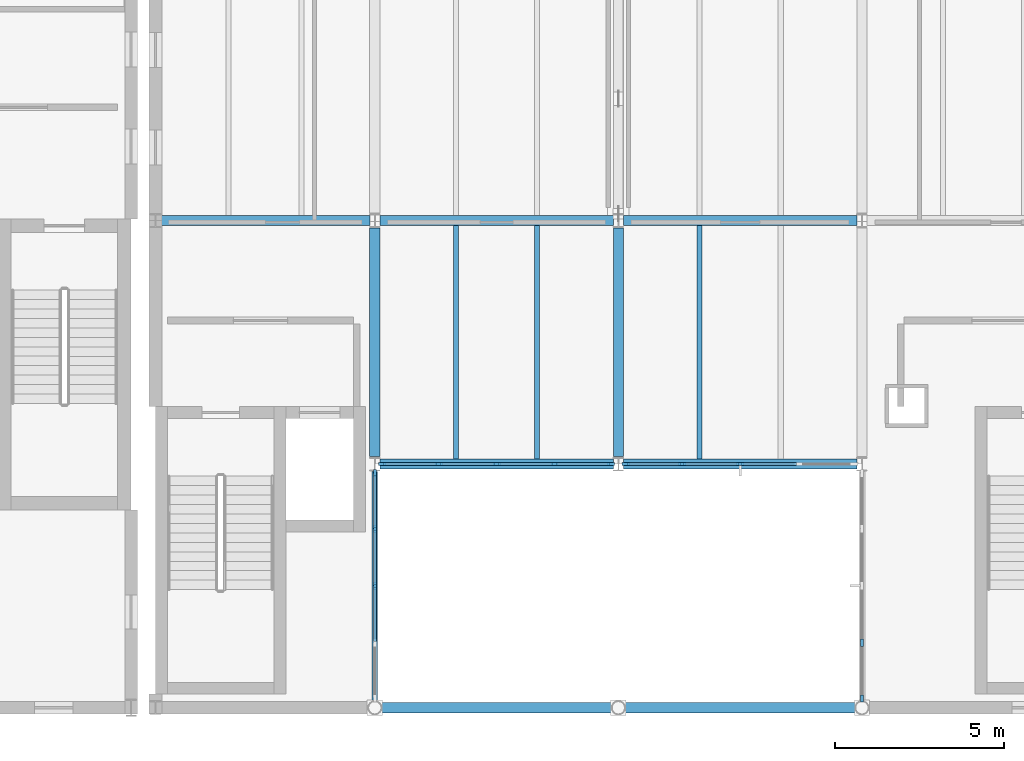
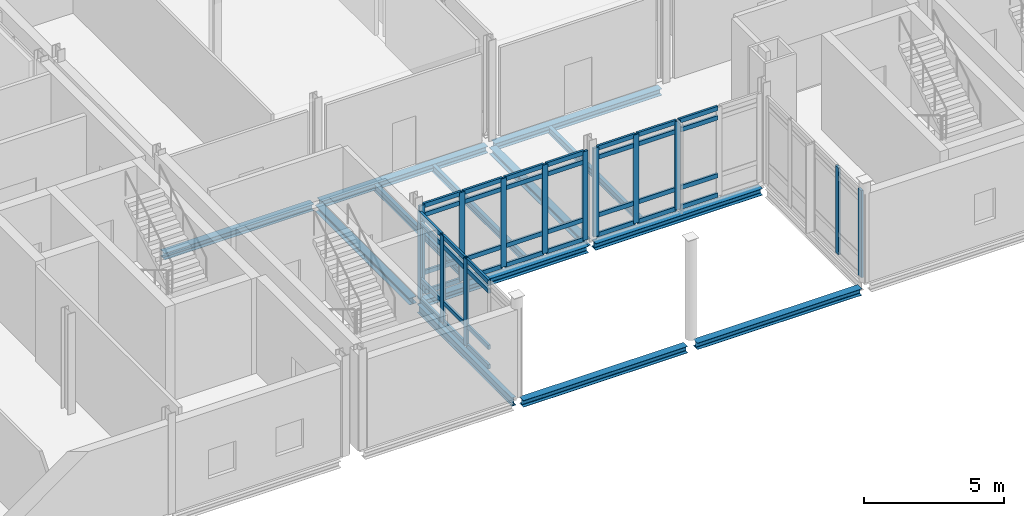
# One storey, part 14 of 76: 53 members, 13 beams, 4 elements without a shape of their own.
"""IFC4 building model written with IfcOpenShell, lengths in metres."""

from ifc_helpers import new_model, si_unit, direction, frame, origin, origin_2d, place, context, subcontext, project, spatial, rectangle, i_section, extrude, material, layer, layer_set, material_profile, profile_set, type_object, element, aggregate, save


model = new_model("IFC4")

# Units and contexts
model_context = context("Model", 3, precision=1e-05, world=origin(), true_north=direction((0.0, 1.0)))
body_context = subcontext(model_context, "Body", "Model", "MODEL_VIEW")
ifc_project = project(units=[si_unit("LENGTHUNIT", "METRE"), si_unit("AREAUNIT", "SQUARE_METRE"), si_unit("VOLUMEUNIT", "CUBIC_METRE"), si_unit("PLANEANGLEUNIT", "RADIAN"), si_unit("MASSUNIT", "GRAM", prefix="KILO")], contexts=[model_context])

# Site, building, storey
site_placement = place(None, origin())
site = spatial("IfcSite", under=ifc_project, at=site_placement, CompositionType="ELEMENT")
building_placement = place(site_placement, origin())
building = spatial("IfcBuilding", under=site, at=building_placement, Name="Zarrinpeak Specialist Clinic", CompositionType="ELEMENT")
storey_placement = place(building_placement, frame((0.0, 0.0, 5.199951171875)))
storey = spatial("IfcBuildingStorey", under=building, at=storey_placement, Name="L01", CompositionType="ELEMENT", Elevation=5.199951171875)

# Beams
ifc_material_1 = material(Name="Steel S355", Category="steel")
ifc_material_profile_1 = material_profile(ifc_material_1, i_section(OverallWidth=0.300048828125, OverallDepth=0.2900390625, WebThickness=0.008544921875, FlangeThickness=0.013916015625, FilletRadius=0.027099609375, at=origin_2d()), Name="HEA 300")
ifc_profile_set_1 = profile_set([ifc_material_profile_1], Name="Steel S355")
beam_type_1 = type_object("IfcBeamType", Name="BM-HEA300", PredefinedType="BEAM", material=ifc_profile_set_1)
for number, where, z_axis, x_axis, name in (
    (1, (36.201171875, 0.0, -0.375), (1.0, 0.0, 0.0), (0.0, 1.0, 0.0), "L01 Primary Floor Girder BM-L01-X0717"),
    (2, (43.401123046875, 0.0, -0.375), (1.0, 0.0, 0.0), (0.0, 1.0, 0.0), "L01 Primary Floor Girder BM-L01-X0718"),
):
    element("IfcBeam", number, at=place(storey_placement, frame(where, z_axis=z_axis, x_axis=x_axis)), inside=storey, type_object=beam_type_1, Name=name, PredefinedType="BEAM", context=body_context, shape_type="SweptSolid", body=[
        extrude(i_section(OverallWidth=0.300048828125, OverallDepth=0.2900390625, WebThickness=0.008544921875, FlangeThickness=0.013916015625, FilletRadius=0.027099609375, at=origin_2d()), origin(), (0.0, 0.0, 1.0), 6.797607421875),
    ])
for number, where, z_axis, x_axis, name in (
    (3, (36.14794921875, 7.199951171875, -0.375), (1.0, 0.0, 0.0), (0.0, 1.0, 0.0), "L01 Primary Floor Girder BM-L01-X0726"),
    (4, (43.347900390625, 7.199951171875, -0.375), (1.0, 0.0, 0.0), (0.0, 1.0, 0.0), "L01 Primary Floor Girder BM-L01-X0727"),
):
    element("IfcBeam", number, at=place(storey_placement, frame(where, z_axis=z_axis, x_axis=x_axis)), inside=storey, type_object=beam_type_1, Name=name, PredefinedType="BEAM", context=body_context, shape_type="SweptSolid", body=[
        extrude(i_section(OverallWidth=0.300048828125, OverallDepth=0.2900390625, WebThickness=0.008544921875, FlangeThickness=0.013916015625, FilletRadius=0.027099609375, at=origin_2d()), origin(), (0.0, 0.0, 1.0), 6.904052734375),
    ])
beam_1_placement = place(storey_placement, frame((29.66796875, 14.39990234375, -0.375), z_axis=(1.0, 0.0, 0.0), x_axis=(0.0, 1.0, 0.0)))
element("IfcBeam", 5, at=beam_1_placement, inside=storey, type_object=beam_type_1, Name="L01 Primary Floor Girder BM-L01-X0731", PredefinedType="BEAM", context=body_context, shape_type="SweptSolid", body=[
    extrude(i_section(OverallWidth=0.300048828125, OverallDepth=0.2900390625, WebThickness=0.008544921875, FlangeThickness=0.013916015625, FilletRadius=0.027099609375, at=origin_2d()), origin(), (0.0, 0.0, 1.0), 6.18408203125),
])
for number, where, z_axis, x_axis, name in (
    (6, (36.14794921875, 14.39990234375, -0.375), (1.0, 0.0, 0.0), (0.0, 1.0, 0.0), "L01 Primary Floor Girder BM-L01-X0732"),
    (7, (43.347900390625, 14.39990234375, -0.375), (1.0, 0.0, 0.0), (0.0, 1.0, 0.0), "L01 Primary Floor Girder BM-L01-X0733"),
):
    element("IfcBeam", number, at=place(storey_placement, frame(where, z_axis=z_axis, x_axis=x_axis)), inside=storey, type_object=beam_type_1, Name=name, PredefinedType="BEAM", context=body_context, shape_type="SweptSolid", body=[
        extrude(i_section(OverallWidth=0.300048828125, OverallDepth=0.2900390625, WebThickness=0.008544921875, FlangeThickness=0.013916015625, FilletRadius=0.027099609375, at=origin_2d()), origin(), (0.0, 0.0, 1.0), 6.904052734375),
    ])
for number, where, z_axis, x_axis, name in (
    (8, (36.0, 7.423095703125, -0.375), (0.0, 1.0, 0.0), (-1.0, 0.0, 0.0), "L01 Primary Beam BM-L01-Y0884"),
    (9, (43.199951171875, 7.423095703125, -0.375), (0.0, 1.0, 0.0), (-1.0, 0.0, 0.0), "L01 Primary Beam BM-L01-Y0890"),
):
    element("IfcBeam", number, at=place(storey_placement, frame(where, z_axis=z_axis, x_axis=x_axis)), inside=storey, type_object=beam_type_1, Name=name, PredefinedType="BEAM", context=body_context, shape_type="SweptSolid", body=[
        extrude(i_section(OverallWidth=0.300048828125, OverallDepth=0.2900390625, WebThickness=0.008544921875, FlangeThickness=0.013916015625, FilletRadius=0.027099609375, at=origin_2d()), origin(), (0.0, 0.0, 1.0), 6.75390625),
    ])
ifc_material_profile_2 = material_profile(ifc_material_1, i_section(OverallWidth=0.14990234375, OverallDepth=0.300048828125, WebThickness=0.007080078125, FlangeThickness=0.0107421875, FilletRadius=0.014892578125, at=origin_2d()), Name="IPE 300")
ifc_profile_set_2 = profile_set([ifc_material_profile_2], Name="Steel S355")
beam_type_2 = type_object("IfcBeamType", Name="BM-JST300", PredefinedType="JOIST", material=ifc_profile_set_2)
for number, where, z_axis, x_axis, name in (
    (10, (38.39990234375, 7.347900390625, -0.3798828125), (0.0, 1.0, 0.0), (-1.0, 0.0, 0.0), "L01 Composite Floor Joist JST-L01-0993"),
    (11, (40.800048828125, 7.347900390625, -0.3798828125), (0.0, 1.0, 0.0), (-1.0, 0.0, 0.0), "L01 Composite Floor Joist JST-L01-0994"),
    (12, (45.60009765625, 7.347900390625, -0.3798828125), (0.0, 1.0, 0.0), (-1.0, 0.0, 0.0), "L01 Composite Floor Joist JST-L01-0999"),
):
    element("IfcBeam", number, at=place(storey_placement, frame(where, z_axis=z_axis, x_axis=x_axis)), inside=storey, type_object=beam_type_2, Name=name, PredefinedType="JOIST", context=body_context, shape_type="SweptSolid", body=[
        extrude(i_section(OverallWidth=0.14990234375, OverallDepth=0.300048828125, WebThickness=0.007080078125, FlangeThickness=0.0107421875, FilletRadius=0.014892578125, at=origin_2d()), origin(), (0.0, 0.0, 1.0), 6.904052734375),
    ])
ifc_material_profile_3 = material_profile(ifc_material_1, i_section(OverallWidth=0.169921875, OverallDepth=0.360107421875, WebThickness=0.008056640625, FlangeThickness=0.0126953125, FilletRadius=0.01806640625, at=origin_2d()), Name="IPE 360")
ifc_profile_set_3 = profile_set([ifc_material_profile_3], Name="Steel S355")
beam_type_3 = type_object("IfcBeamType", Name="BM-SP360", PredefinedType="SPANDREL", material=ifc_profile_set_3)
beam_2_placement = place(storey_placement, frame((36.0, 0.201171875, -0.409912109375), z_axis=(0.0, 1.0, 0.0), x_axis=(-1.0, 0.0, 0.0)))
element("IfcBeam", 13, at=beam_2_placement, inside=storey, type_object=beam_type_3, Name="L01 Perimeter Spandrel Beam BM-L01-Y0883", PredefinedType="SPANDREL", context=body_context, shape_type="SweptSolid", body=[
    extrude(i_section(OverallWidth=0.169921875, OverallDepth=0.360107421875, WebThickness=0.008056640625, FlangeThickness=0.0126953125, FilletRadius=0.01806640625, at=origin_2d()), origin(), (0.0, 0.0, 1.0), 6.77587890625),
])

# Curtain wall, members
ifc_material_2 = material(Name="Anodised Aluminium Alloy 6063-T6", Category="aluminium")
ifc_layer = layer(ifc_material_2, 0.18994140625)
ifc_layer_set = layer_set([ifc_layer], Name="Anodised Aluminium Alloy 6063-T6")
curtain_wall_type = type_object("IfcCurtainWallType", Name="CW-LOGGIA", PredefinedType="NOTDEFINED", material=ifc_layer_set)
curtain_wall_1_placement = place(storey_placement, origin())
curtain_wall_1 = element("IfcCurtainWall", 14, at=curtain_wall_1_placement, inside=storey, type_object=curtain_wall_type, Name="L01 V2 Unitised Curtain Wall CW-L01-V2-045", PredefinedType="NOTDEFINED")
ifc_material_profile_4 = material_profile(ifc_material_2, rectangle(XDim=0.090087890625, YDim=0.219970703125, at=origin_2d()), Name="ALU 90x220")
ifc_profile_set_4 = profile_set([ifc_material_profile_4], Name="Anodised Aluminium Alloy 6063-T6")
member_type_1 = type_object("IfcMemberType", Name="CWM-90", PredefinedType="MULLION", material=ifc_profile_set_4)
member_1_placement = place(storey_placement, frame((36.219970703125, 7.199951171875, 0.0), z_axis=(0.0, 0.0, 1.0), x_axis=(0.0, 1.0, 0.0)))
member_1 = element("IfcMember", 15, at=member_1_placement, type_object=member_type_1, Name="CW-04 mullion 1", PredefinedType="MULLION", context=body_context, shape_type="SweptSolid", body=[
    extrude(rectangle(XDim=0.090087890625, YDim=0.219970703125, at=origin_2d()), origin(), (0.0, 0.0, 1.0), 3.880126953125),
])
member_2_placement = place(storey_placement, frame((37.887451171875, 7.199951171875, 0.0), z_axis=(0.0, 0.0, 1.0), x_axis=(0.0, 1.0, 0.0)))
member_2 = element("IfcMember", 16, at=member_2_placement, type_object=member_type_1, Name="CW-04 mullion 2", PredefinedType="MULLION", context=body_context, shape_type="SweptSolid", body=[
    extrude(rectangle(XDim=0.090087890625, YDim=0.219970703125, at=origin_2d()), origin(), (0.0, 0.0, 1.0), 3.880126953125),
])
member_3_placement = place(storey_placement, frame((39.60009765625, 7.199951171875, 0.0), z_axis=(0.0, 0.0, 1.0), x_axis=(0.0, 1.0, 0.0)))
member_3 = element("IfcMember", 17, at=member_3_placement, type_object=member_type_1, Name="CW-04 mullion 3", PredefinedType="MULLION", context=body_context, shape_type="SweptSolid", body=[
    extrude(rectangle(XDim=0.090087890625, YDim=0.219970703125, at=origin_2d()), origin(), (0.0, 0.0, 1.0), 3.880126953125),
])
member_4_placement = place(storey_placement, frame((41.3125, 7.199951171875, 0.0), z_axis=(0.0, 0.0, 1.0), x_axis=(0.0, 1.0, 0.0)))
member_4 = element("IfcMember", 18, at=member_4_placement, type_object=member_type_1, Name="CW-04 mullion 4", PredefinedType="MULLION", context=body_context, shape_type="SweptSolid", body=[
    extrude(rectangle(XDim=0.090087890625, YDim=0.219970703125, at=origin_2d()), origin(), (0.0, 0.0, 1.0), 3.880126953125),
])
member_5_placement = place(storey_placement, frame((42.97998046875, 7.199951171875, 0.0), z_axis=(0.0, 0.0, 1.0), x_axis=(0.0, 1.0, 0.0)))
member_5 = element("IfcMember", 19, at=member_5_placement, type_object=member_type_1, Name="CW-04 mullion 5", PredefinedType="MULLION", context=body_context, shape_type="SweptSolid", body=[
    extrude(rectangle(XDim=0.090087890625, YDim=0.219970703125, at=origin_2d()), origin(), (0.0, 0.0, 1.0), 3.880126953125),
])

curtain_wall_2_placement = place(storey_placement, origin())
curtain_wall_2 = element("IfcCurtainWall", 20, at=curtain_wall_2_placement, inside=storey, type_object=curtain_wall_type, Name="L01 V2 Unitised Curtain Wall CW-L01-V2-046", PredefinedType="NOTDEFINED")
member_6_placement = place(storey_placement, frame((43.419921875, 7.199951171875, 0.0), z_axis=(0.0, 0.0, 1.0), x_axis=(0.0, 1.0, 0.0)))
member_6 = element("IfcMember", 21, at=member_6_placement, type_object=member_type_1, Name="CW-04 mullion 1", PredefinedType="MULLION", context=body_context, shape_type="SweptSolid", body=[
    extrude(rectangle(XDim=0.090087890625, YDim=0.219970703125, at=origin_2d()), origin(), (0.0, 0.0, 1.0), 3.880126953125),
])
member_7_placement = place(storey_placement, frame((45.08740234375, 7.199951171875, 0.0), z_axis=(0.0, 0.0, 1.0), x_axis=(0.0, 1.0, 0.0)))
member_7 = element("IfcMember", 22, at=member_7_placement, type_object=member_type_1, Name="CW-04 mullion 2", PredefinedType="MULLION", context=body_context, shape_type="SweptSolid", body=[
    extrude(rectangle(XDim=0.090087890625, YDim=0.219970703125, at=origin_2d()), origin(), (0.0, 0.0, 1.0), 3.880126953125),
])
member_8_placement = place(storey_placement, frame((46.800048828125, 7.199951171875, 0.0), z_axis=(0.0, 0.0, 1.0), x_axis=(0.0, 1.0, 0.0)))
member_8 = element("IfcMember", 23, at=member_8_placement, type_object=member_type_1, Name="CW-04 mullion 3", PredefinedType="MULLION", context=body_context, shape_type="SweptSolid", body=[
    extrude(rectangle(XDim=0.090087890625, YDim=0.219970703125, at=origin_2d()), origin(), (0.0, 0.0, 1.0), 3.880126953125),
])

curtain_wall_3_placement = place(storey_placement, origin())
curtain_wall_3 = element("IfcCurtainWall", 24, at=curtain_wall_3_placement, inside=storey, type_object=curtain_wall_type, Name="L01 V2 Unitised Curtain Wall CW-L01-V2-047", PredefinedType="NOTDEFINED")
member_9_placement = place(storey_placement, frame((36.0, 3.6015625, 0.0), z_axis=(0.0, 0.0, 1.0), x_axis=(-1.0, 0.0, 0.0)))
member_9 = element("IfcMember", 25, at=member_9_placement, type_object=member_type_1, Name="CW-04 mullion 3", PredefinedType="MULLION", context=body_context, shape_type="SweptSolid", body=[
    extrude(rectangle(XDim=0.090087890625, YDim=0.219970703125, at=origin_2d()), origin(), (0.0, 0.0, 1.0), 3.81005859375),
])
member_10_placement = place(storey_placement, frame((36.0, 5.288330078125, 0.0), z_axis=(0.0, 0.0, 1.0), x_axis=(-1.0, 0.0, 0.0)))
member_10 = element("IfcMember", 26, at=member_10_placement, type_object=member_type_1, Name="CW-04 mullion 4", PredefinedType="MULLION", context=body_context, shape_type="SweptSolid", body=[
    extrude(rectangle(XDim=0.090087890625, YDim=0.219970703125, at=origin_2d()), origin(), (0.0, 0.0, 1.0), 3.81005859375),
])
member_11_placement = place(storey_placement, frame((36.0, 6.929931640625, 0.0), z_axis=(0.0, 0.0, 1.0), x_axis=(-1.0, 0.0, 0.0)))
member_11 = element("IfcMember", 27, at=member_11_placement, type_object=member_type_1, Name="CW-04 mullion 5", PredefinedType="MULLION", context=body_context, shape_type="SweptSolid", body=[
    extrude(rectangle(XDim=0.090087890625, YDim=0.219970703125, at=origin_2d()), origin(), (0.0, 0.0, 1.0), 3.81005859375),
])

curtain_wall_4_placement = place(storey_placement, origin())
curtain_wall_4 = element("IfcCurtainWall", 28, at=curtain_wall_4_placement, inside=storey, type_object=curtain_wall_type, Name="L01 V2 Unitised Curtain Wall CW-L01-V2-048", PredefinedType="NOTDEFINED")
member_12_placement = place(storey_placement, frame((50.39990234375, 1.914794921875, 0.0), z_axis=(0.0, 0.0, 1.0), x_axis=(1.0, 0.0, 0.0)))
member_12 = element("IfcMember", 29, at=member_12_placement, type_object=member_type_1, Name="CW-04 mullion 4", PredefinedType="MULLION", context=body_context, shape_type="SweptSolid", body=[
    extrude(rectangle(XDim=0.090087890625, YDim=0.219970703125, at=origin_2d()), origin(), (0.0, 0.0, 1.0), 3.81005859375),
])
member_13_placement = place(storey_placement, frame((50.39990234375, 0.273193359375, 0.0), z_axis=(0.0, 0.0, 1.0), x_axis=(1.0, 0.0, 0.0)))
member_13 = element("IfcMember", 30, at=member_13_placement, type_object=member_type_1, Name="CW-04 mullion 5", PredefinedType="MULLION", context=body_context, shape_type="SweptSolid", body=[
    extrude(rectangle(XDim=0.090087890625, YDim=0.219970703125, at=origin_2d()), origin(), (0.0, 0.0, 1.0), 3.81005859375),
])
aggregate(curtain_wall_4, [member_12, member_13])

# Member
ifc_material_profile_5 = material_profile(ifc_material_2, rectangle(XDim=0.090087890625, YDim=0.18994140625, at=origin_2d()), Name="ALU 90x190")
ifc_profile_set_5 = profile_set([ifc_material_profile_5], Name="Anodised Aluminium Alloy 6063-T6")
member_type_2 = type_object("IfcMemberType", Name="CWT-90", PredefinedType="USERDEFINED", material=ifc_profile_set_5)
member_14_placement = place(storey_placement, frame((36.264892578125, 7.199951171875, 0.045166015625), z_axis=(1.0, 0.0, 0.0), x_axis=(0.0, 1.0, 0.0)))
member_14 = element("IfcMember", 31, at=member_14_placement, type_object=member_type_2, Name="CW-04 transom 1.1", ObjectType="TRANSOM", PredefinedType="USERDEFINED", context=body_context, shape_type="SweptSolid", body=[
    extrude(rectangle(XDim=0.090087890625, YDim=0.18994140625, at=origin_2d()), origin(), (0.0, 0.0, 1.0), 1.57763671875),
])

member_15_placement = place(storey_placement, frame((36.264892578125, 7.199951171875, 0.900146484375), z_axis=(1.0, 0.0, 0.0), x_axis=(0.0, 1.0, 0.0)))
member_15 = element("IfcMember", 32, at=member_15_placement, type_object=member_type_2, Name="CW-04 transom 1.2", ObjectType="TRANSOM", PredefinedType="USERDEFINED", context=body_context, shape_type="SweptSolid", body=[
    extrude(rectangle(XDim=0.090087890625, YDim=0.18994140625, at=origin_2d()), origin(), (0.0, 0.0, 1.0), 1.57763671875),
])

member_16_placement = place(storey_placement, frame((36.264892578125, 7.199951171875, 3.429931640625), z_axis=(1.0, 0.0, 0.0), x_axis=(0.0, 1.0, 0.0)))
member_16 = element("IfcMember", 33, at=member_16_placement, type_object=member_type_2, Name="CW-04 transom 1.3", ObjectType="TRANSOM", PredefinedType="USERDEFINED", context=body_context, shape_type="SweptSolid", body=[
    extrude(rectangle(XDim=0.090087890625, YDim=0.18994140625, at=origin_2d()), origin(), (0.0, 0.0, 1.0), 1.57763671875),
])

member_17_placement = place(storey_placement, frame((36.264892578125, 7.199951171875, 3.8349609375), z_axis=(1.0, 0.0, 0.0), x_axis=(0.0, 1.0, 0.0)))
member_17 = element("IfcMember", 34, at=member_17_placement, type_object=member_type_2, Name="CW-04 transom 1.4", ObjectType="TRANSOM", PredefinedType="USERDEFINED", context=body_context, shape_type="SweptSolid", body=[
    extrude(rectangle(XDim=0.090087890625, YDim=0.18994140625, at=origin_2d()), origin(), (0.0, 0.0, 1.0), 1.57763671875),
])

member_18_placement = place(storey_placement, frame((37.9326171875, 7.199951171875, 0.045166015625), z_axis=(1.0, 0.0, 0.0), x_axis=(0.0, 1.0, 0.0)))
member_18 = element("IfcMember", 35, at=member_18_placement, type_object=member_type_2, Name="CW-04 transom 2.1", ObjectType="TRANSOM", PredefinedType="USERDEFINED", context=body_context, shape_type="SweptSolid", body=[
    extrude(rectangle(XDim=0.090087890625, YDim=0.18994140625, at=origin_2d()), origin(), (0.0, 0.0, 1.0), 1.622314453125),
])

member_19_placement = place(storey_placement, frame((37.9326171875, 7.199951171875, 0.900146484375), z_axis=(1.0, 0.0, 0.0), x_axis=(0.0, 1.0, 0.0)))
member_19 = element("IfcMember", 36, at=member_19_placement, type_object=member_type_2, Name="CW-04 transom 2.2", ObjectType="TRANSOM", PredefinedType="USERDEFINED", context=body_context, shape_type="SweptSolid", body=[
    extrude(rectangle(XDim=0.090087890625, YDim=0.18994140625, at=origin_2d()), origin(), (0.0, 0.0, 1.0), 1.622314453125),
])

member_20_placement = place(storey_placement, frame((37.9326171875, 7.199951171875, 3.429931640625), z_axis=(1.0, 0.0, 0.0), x_axis=(0.0, 1.0, 0.0)))
member_20 = element("IfcMember", 37, at=member_20_placement, type_object=member_type_2, Name="CW-04 transom 2.3", ObjectType="TRANSOM", PredefinedType="USERDEFINED", context=body_context, shape_type="SweptSolid", body=[
    extrude(rectangle(XDim=0.090087890625, YDim=0.18994140625, at=origin_2d()), origin(), (0.0, 0.0, 1.0), 1.622314453125),
])

member_21_placement = place(storey_placement, frame((37.9326171875, 7.199951171875, 3.8349609375), z_axis=(1.0, 0.0, 0.0), x_axis=(0.0, 1.0, 0.0)))
member_21 = element("IfcMember", 38, at=member_21_placement, type_object=member_type_2, Name="CW-04 transom 2.4", ObjectType="TRANSOM", PredefinedType="USERDEFINED", context=body_context, shape_type="SweptSolid", body=[
    extrude(rectangle(XDim=0.090087890625, YDim=0.18994140625, at=origin_2d()), origin(), (0.0, 0.0, 1.0), 1.622314453125),
])

member_22_placement = place(storey_placement, frame((39.64501953125, 7.199951171875, 0.045166015625), z_axis=(1.0, 0.0, 0.0), x_axis=(0.0, 1.0, 0.0)))
member_22 = element("IfcMember", 39, at=member_22_placement, type_object=member_type_2, Name="CW-04 transom 3.1", ObjectType="TRANSOM", PredefinedType="USERDEFINED", context=body_context, shape_type="SweptSolid", body=[
    extrude(rectangle(XDim=0.090087890625, YDim=0.18994140625, at=origin_2d()), origin(), (0.0, 0.0, 1.0), 1.62255859375),
])

member_23_placement = place(storey_placement, frame((39.64501953125, 7.199951171875, 0.900146484375), z_axis=(1.0, 0.0, 0.0), x_axis=(0.0, 1.0, 0.0)))
member_23 = element("IfcMember", 40, at=member_23_placement, type_object=member_type_2, Name="CW-04 transom 3.2", ObjectType="TRANSOM", PredefinedType="USERDEFINED", context=body_context, shape_type="SweptSolid", body=[
    extrude(rectangle(XDim=0.090087890625, YDim=0.18994140625, at=origin_2d()), origin(), (0.0, 0.0, 1.0), 1.62255859375),
])

member_24_placement = place(storey_placement, frame((39.64501953125, 7.199951171875, 3.429931640625), z_axis=(1.0, 0.0, 0.0), x_axis=(0.0, 1.0, 0.0)))
member_24 = element("IfcMember", 41, at=member_24_placement, type_object=member_type_2, Name="CW-04 transom 3.3", ObjectType="TRANSOM", PredefinedType="USERDEFINED", context=body_context, shape_type="SweptSolid", body=[
    extrude(rectangle(XDim=0.090087890625, YDim=0.18994140625, at=origin_2d()), origin(), (0.0, 0.0, 1.0), 1.62255859375),
])

member_25_placement = place(storey_placement, frame((39.64501953125, 7.199951171875, 3.8349609375), z_axis=(1.0, 0.0, 0.0), x_axis=(0.0, 1.0, 0.0)))
member_25 = element("IfcMember", 42, at=member_25_placement, type_object=member_type_2, Name="CW-04 transom 3.4", ObjectType="TRANSOM", PredefinedType="USERDEFINED", context=body_context, shape_type="SweptSolid", body=[
    extrude(rectangle(XDim=0.090087890625, YDim=0.18994140625, at=origin_2d()), origin(), (0.0, 0.0, 1.0), 1.62255859375),
])

member_26_placement = place(storey_placement, frame((41.357421875, 7.199951171875, 0.045166015625), z_axis=(1.0, 0.0, 0.0), x_axis=(0.0, 1.0, 0.0)))
member_26 = element("IfcMember", 43, at=member_26_placement, type_object=member_type_2, Name="CW-04 transom 4.1", ObjectType="TRANSOM", PredefinedType="USERDEFINED", context=body_context, shape_type="SweptSolid", body=[
    extrude(rectangle(XDim=0.090087890625, YDim=0.18994140625, at=origin_2d()), origin(), (0.0, 0.0, 1.0), 1.57763671875),
])

member_27_placement = place(storey_placement, frame((41.357421875, 7.199951171875, 0.900146484375), z_axis=(1.0, 0.0, 0.0), x_axis=(0.0, 1.0, 0.0)))
member_27 = element("IfcMember", 44, at=member_27_placement, type_object=member_type_2, Name="CW-04 transom 4.2", ObjectType="TRANSOM", PredefinedType="USERDEFINED", context=body_context, shape_type="SweptSolid", body=[
    extrude(rectangle(XDim=0.090087890625, YDim=0.18994140625, at=origin_2d()), origin(), (0.0, 0.0, 1.0), 1.57763671875),
])

member_28_placement = place(storey_placement, frame((41.357421875, 7.199951171875, 3.429931640625), z_axis=(1.0, 0.0, 0.0), x_axis=(0.0, 1.0, 0.0)))
member_28 = element("IfcMember", 45, at=member_28_placement, type_object=member_type_2, Name="CW-04 transom 4.3", ObjectType="TRANSOM", PredefinedType="USERDEFINED", context=body_context, shape_type="SweptSolid", body=[
    extrude(rectangle(XDim=0.090087890625, YDim=0.18994140625, at=origin_2d()), origin(), (0.0, 0.0, 1.0), 1.57763671875),
])

member_29_placement = place(storey_placement, frame((41.357421875, 7.199951171875, 3.8349609375), z_axis=(1.0, 0.0, 0.0), x_axis=(0.0, 1.0, 0.0)))
member_29 = element("IfcMember", 46, at=member_29_placement, type_object=member_type_2, Name="CW-04 transom 4.4", ObjectType="TRANSOM", PredefinedType="USERDEFINED", context=body_context, shape_type="SweptSolid", body=[
    extrude(rectangle(XDim=0.090087890625, YDim=0.18994140625, at=origin_2d()), origin(), (0.0, 0.0, 1.0), 1.57763671875),
])

aggregate(curtain_wall_1, [member_1, member_2, member_3, member_4, member_5, member_14, member_15, member_16, member_17, member_18, member_19, member_20, member_21, member_22, member_23, member_24, member_25, member_26, member_27, member_28, member_29])

member_30_placement = place(storey_placement, frame((43.465087890625, 7.199951171875, 0.045166015625), z_axis=(1.0, 0.0, 0.0), x_axis=(0.0, 1.0, 0.0)))
member_30 = element("IfcMember", 47, at=member_30_placement, type_object=member_type_2, Name="CW-04 transom 1.1", ObjectType="TRANSOM", PredefinedType="USERDEFINED", context=body_context, shape_type="SweptSolid", body=[
    extrude(rectangle(XDim=0.090087890625, YDim=0.18994140625, at=origin_2d()), origin(), (0.0, 0.0, 1.0), 1.577392578125),
])

member_31_placement = place(storey_placement, frame((43.465087890625, 7.199951171875, 0.900146484375), z_axis=(1.0, 0.0, 0.0), x_axis=(0.0, 1.0, 0.0)))
member_31 = element("IfcMember", 48, at=member_31_placement, type_object=member_type_2, Name="CW-04 transom 1.2", ObjectType="TRANSOM", PredefinedType="USERDEFINED", context=body_context, shape_type="SweptSolid", body=[
    extrude(rectangle(XDim=0.090087890625, YDim=0.18994140625, at=origin_2d()), origin(), (0.0, 0.0, 1.0), 1.577392578125),
])

member_32_placement = place(storey_placement, frame((43.465087890625, 7.199951171875, 3.429931640625), z_axis=(1.0, 0.0, 0.0), x_axis=(0.0, 1.0, 0.0)))
member_32 = element("IfcMember", 49, at=member_32_placement, type_object=member_type_2, Name="CW-04 transom 1.3", ObjectType="TRANSOM", PredefinedType="USERDEFINED", context=body_context, shape_type="SweptSolid", body=[
    extrude(rectangle(XDim=0.090087890625, YDim=0.18994140625, at=origin_2d()), origin(), (0.0, 0.0, 1.0), 1.577392578125),
])

member_33_placement = place(storey_placement, frame((43.465087890625, 7.199951171875, 3.8349609375), z_axis=(1.0, 0.0, 0.0), x_axis=(0.0, 1.0, 0.0)))
member_33 = element("IfcMember", 50, at=member_33_placement, type_object=member_type_2, Name="CW-04 transom 1.4", ObjectType="TRANSOM", PredefinedType="USERDEFINED", context=body_context, shape_type="SweptSolid", body=[
    extrude(rectangle(XDim=0.090087890625, YDim=0.18994140625, at=origin_2d()), origin(), (0.0, 0.0, 1.0), 1.577392578125),
])

member_34_placement = place(storey_placement, frame((45.132568359375, 7.199951171875, 0.045166015625), z_axis=(1.0, 0.0, 0.0), x_axis=(0.0, 1.0, 0.0)))
member_34 = element("IfcMember", 51, at=member_34_placement, type_object=member_type_2, Name="CW-04 transom 2.1", ObjectType="TRANSOM", PredefinedType="USERDEFINED", context=body_context, shape_type="SweptSolid", body=[
    extrude(rectangle(XDim=0.090087890625, YDim=0.18994140625, at=origin_2d()), origin(), (0.0, 0.0, 1.0), 1.622314453125),
])

member_35_placement = place(storey_placement, frame((45.132568359375, 7.199951171875, 0.900146484375), z_axis=(1.0, 0.0, 0.0), x_axis=(0.0, 1.0, 0.0)))
member_35 = element("IfcMember", 52, at=member_35_placement, type_object=member_type_2, Name="CW-04 transom 2.2", ObjectType="TRANSOM", PredefinedType="USERDEFINED", context=body_context, shape_type="SweptSolid", body=[
    extrude(rectangle(XDim=0.090087890625, YDim=0.18994140625, at=origin_2d()), origin(), (0.0, 0.0, 1.0), 1.622314453125),
])

member_36_placement = place(storey_placement, frame((45.132568359375, 7.199951171875, 3.429931640625), z_axis=(1.0, 0.0, 0.0), x_axis=(0.0, 1.0, 0.0)))
member_36 = element("IfcMember", 53, at=member_36_placement, type_object=member_type_2, Name="CW-04 transom 2.3", ObjectType="TRANSOM", PredefinedType="USERDEFINED", context=body_context, shape_type="SweptSolid", body=[
    extrude(rectangle(XDim=0.090087890625, YDim=0.18994140625, at=origin_2d()), origin(), (0.0, 0.0, 1.0), 1.622314453125),
])

member_37_placement = place(storey_placement, frame((45.132568359375, 7.199951171875, 3.8349609375), z_axis=(1.0, 0.0, 0.0), x_axis=(0.0, 1.0, 0.0)))
member_37 = element("IfcMember", 54, at=member_37_placement, type_object=member_type_2, Name="CW-04 transom 2.4", ObjectType="TRANSOM", PredefinedType="USERDEFINED", context=body_context, shape_type="SweptSolid", body=[
    extrude(rectangle(XDim=0.090087890625, YDim=0.18994140625, at=origin_2d()), origin(), (0.0, 0.0, 1.0), 1.622314453125),
])

member_38_placement = place(storey_placement, frame((46.844970703125, 7.199951171875, 0.045166015625), z_axis=(1.0, 0.0, 0.0), x_axis=(0.0, 1.0, 0.0)))
member_38 = element("IfcMember", 55, at=member_38_placement, type_object=member_type_2, Name="CW-04 transom 3.1", ObjectType="TRANSOM", PredefinedType="USERDEFINED", context=body_context, shape_type="SweptSolid", body=[
    extrude(rectangle(XDim=0.090087890625, YDim=0.18994140625, at=origin_2d()), origin(), (0.0, 0.0, 1.0), 1.62255859375),
])

member_39_placement = place(storey_placement, frame((46.844970703125, 7.199951171875, 0.900146484375), z_axis=(1.0, 0.0, 0.0), x_axis=(0.0, 1.0, 0.0)))
member_39 = element("IfcMember", 56, at=member_39_placement, type_object=member_type_2, Name="CW-04 transom 3.2", ObjectType="TRANSOM", PredefinedType="USERDEFINED", context=body_context, shape_type="SweptSolid", body=[
    extrude(rectangle(XDim=0.090087890625, YDim=0.18994140625, at=origin_2d()), origin(), (0.0, 0.0, 1.0), 1.62255859375),
])

member_40_placement = place(storey_placement, frame((46.844970703125, 7.199951171875, 3.429931640625), z_axis=(1.0, 0.0, 0.0), x_axis=(0.0, 1.0, 0.0)))
member_40 = element("IfcMember", 57, at=member_40_placement, type_object=member_type_2, Name="CW-04 transom 3.3", ObjectType="TRANSOM", PredefinedType="USERDEFINED", context=body_context, shape_type="SweptSolid", body=[
    extrude(rectangle(XDim=0.090087890625, YDim=0.18994140625, at=origin_2d()), origin(), (0.0, 0.0, 1.0), 1.62255859375),
])

member_41_placement = place(storey_placement, frame((46.844970703125, 7.199951171875, 3.8349609375), z_axis=(1.0, 0.0, 0.0), x_axis=(0.0, 1.0, 0.0)))
member_41 = element("IfcMember", 58, at=member_41_placement, type_object=member_type_2, Name="CW-04 transom 3.4", ObjectType="TRANSOM", PredefinedType="USERDEFINED", context=body_context, shape_type="SweptSolid", body=[
    extrude(rectangle(XDim=0.090087890625, YDim=0.18994140625, at=origin_2d()), origin(), (0.0, 0.0, 1.0), 1.62255859375),
])

aggregate(curtain_wall_2, [member_6, member_7, member_8, member_30, member_31, member_32, member_33, member_34, member_35, member_36, member_37, member_38, member_39, member_40, member_41])

member_42_placement = place(storey_placement, frame((36.0, 1.9599609375, 0.045166015625), z_axis=(0.0, 1.0, 0.0), x_axis=(-1.0, 0.0, 0.0)))
member_42 = element("IfcMember", 59, at=member_42_placement, type_object=member_type_2, Name="CW-04 transom 2.1", ObjectType="TRANSOM", PredefinedType="USERDEFINED", context=body_context, shape_type="SweptSolid", body=[
    extrude(rectangle(XDim=0.090087890625, YDim=0.18994140625, at=origin_2d()), origin(), (0.0, 0.0, 1.0), 1.5966796875),
])

member_43_placement = place(storey_placement, frame((36.0, 1.9599609375, 0.900146484375), z_axis=(0.0, 1.0, 0.0), x_axis=(-1.0, 0.0, 0.0)))
member_43 = element("IfcMember", 60, at=member_43_placement, type_object=member_type_2, Name="CW-04 transom 2.2", ObjectType="TRANSOM", PredefinedType="USERDEFINED", context=body_context, shape_type="SweptSolid", body=[
    extrude(rectangle(XDim=0.090087890625, YDim=0.18994140625, at=origin_2d()), origin(), (0.0, 0.0, 1.0), 1.5966796875),
])

member_44_placement = place(storey_placement, frame((36.0, 1.9599609375, 3.360107421875), z_axis=(0.0, 1.0, 0.0), x_axis=(-1.0, 0.0, 0.0)))
member_44 = element("IfcMember", 61, at=member_44_placement, type_object=member_type_2, Name="CW-04 transom 2.3", ObjectType="TRANSOM", PredefinedType="USERDEFINED", context=body_context, shape_type="SweptSolid", body=[
    extrude(rectangle(XDim=0.090087890625, YDim=0.18994140625, at=origin_2d()), origin(), (0.0, 0.0, 1.0), 1.5966796875),
])

member_45_placement = place(storey_placement, frame((36.0, 1.9599609375, 3.76513671875), z_axis=(0.0, 1.0, 0.0), x_axis=(-1.0, 0.0, 0.0)))
member_45 = element("IfcMember", 62, at=member_45_placement, type_object=member_type_2, Name="CW-04 transom 2.4", ObjectType="TRANSOM", PredefinedType="USERDEFINED", context=body_context, shape_type="SweptSolid", body=[
    extrude(rectangle(XDim=0.090087890625, YDim=0.18994140625, at=origin_2d()), origin(), (0.0, 0.0, 1.0), 1.5966796875),
])

member_46_placement = place(storey_placement, frame((36.0, 3.646484375, 0.045166015625), z_axis=(0.0, 1.0, 0.0), x_axis=(-1.0, 0.0, 0.0)))
member_46 = element("IfcMember", 63, at=member_46_placement, type_object=member_type_2, Name="CW-04 transom 3.1", ObjectType="TRANSOM", PredefinedType="USERDEFINED", context=body_context, shape_type="SweptSolid", body=[
    extrude(rectangle(XDim=0.090087890625, YDim=0.18994140625, at=origin_2d()), origin(), (0.0, 0.0, 1.0), 1.596923828125),
])

member_47_placement = place(storey_placement, frame((36.0, 3.646484375, 0.900146484375), z_axis=(0.0, 1.0, 0.0), x_axis=(-1.0, 0.0, 0.0)))
member_47 = element("IfcMember", 64, at=member_47_placement, type_object=member_type_2, Name="CW-04 transom 3.2", ObjectType="TRANSOM", PredefinedType="USERDEFINED", context=body_context, shape_type="SweptSolid", body=[
    extrude(rectangle(XDim=0.090087890625, YDim=0.18994140625, at=origin_2d()), origin(), (0.0, 0.0, 1.0), 1.596923828125),
])

member_48_placement = place(storey_placement, frame((36.0, 3.646484375, 3.360107421875), z_axis=(0.0, 1.0, 0.0), x_axis=(-1.0, 0.0, 0.0)))
member_48 = element("IfcMember", 65, at=member_48_placement, type_object=member_type_2, Name="CW-04 transom 3.3", ObjectType="TRANSOM", PredefinedType="USERDEFINED", context=body_context, shape_type="SweptSolid", body=[
    extrude(rectangle(XDim=0.090087890625, YDim=0.18994140625, at=origin_2d()), origin(), (0.0, 0.0, 1.0), 1.596923828125),
])

member_49_placement = place(storey_placement, frame((36.0, 3.646484375, 3.76513671875), z_axis=(0.0, 1.0, 0.0), x_axis=(-1.0, 0.0, 0.0)))
member_49 = element("IfcMember", 66, at=member_49_placement, type_object=member_type_2, Name="CW-04 transom 3.4", ObjectType="TRANSOM", PredefinedType="USERDEFINED", context=body_context, shape_type="SweptSolid", body=[
    extrude(rectangle(XDim=0.090087890625, YDim=0.18994140625, at=origin_2d()), origin(), (0.0, 0.0, 1.0), 1.596923828125),
])

member_50_placement = place(storey_placement, frame((36.0, 5.333251953125, 0.045166015625), z_axis=(0.0, 1.0, 0.0), x_axis=(-1.0, 0.0, 0.0)))
member_50 = element("IfcMember", 67, at=member_50_placement, type_object=member_type_2, Name="CW-04 transom 4.1", ObjectType="TRANSOM", PredefinedType="USERDEFINED", context=body_context, shape_type="SweptSolid", body=[
    extrude(rectangle(XDim=0.090087890625, YDim=0.18994140625, at=origin_2d()), origin(), (0.0, 0.0, 1.0), 1.5517578125),
])

member_51_placement = place(storey_placement, frame((36.0, 5.333251953125, 0.900146484375), z_axis=(0.0, 1.0, 0.0), x_axis=(-1.0, 0.0, 0.0)))
member_51 = element("IfcMember", 68, at=member_51_placement, type_object=member_type_2, Name="CW-04 transom 4.2", ObjectType="TRANSOM", PredefinedType="USERDEFINED", context=body_context, shape_type="SweptSolid", body=[
    extrude(rectangle(XDim=0.090087890625, YDim=0.18994140625, at=origin_2d()), origin(), (0.0, 0.0, 1.0), 1.5517578125),
])

member_52_placement = place(storey_placement, frame((36.0, 5.333251953125, 3.360107421875), z_axis=(0.0, 1.0, 0.0), x_axis=(-1.0, 0.0, 0.0)))
member_52 = element("IfcMember", 69, at=member_52_placement, type_object=member_type_2, Name="CW-04 transom 4.3", ObjectType="TRANSOM", PredefinedType="USERDEFINED", context=body_context, shape_type="SweptSolid", body=[
    extrude(rectangle(XDim=0.090087890625, YDim=0.18994140625, at=origin_2d()), origin(), (0.0, 0.0, 1.0), 1.5517578125),
])

member_53_placement = place(storey_placement, frame((36.0, 5.333251953125, 3.76513671875), z_axis=(0.0, 1.0, 0.0), x_axis=(-1.0, 0.0, 0.0)))
member_53 = element("IfcMember", 70, at=member_53_placement, type_object=member_type_2, Name="CW-04 transom 4.4", ObjectType="TRANSOM", PredefinedType="USERDEFINED", context=body_context, shape_type="SweptSolid", body=[
    extrude(rectangle(XDim=0.090087890625, YDim=0.18994140625, at=origin_2d()), origin(), (0.0, 0.0, 1.0), 1.5517578125),
])

aggregate(curtain_wall_3, [member_9, member_10, member_11, member_42, member_43, member_44, member_45, member_46, member_47, member_48, member_49, member_50, member_51, member_52, member_53])

save(model, "model.ifc")
